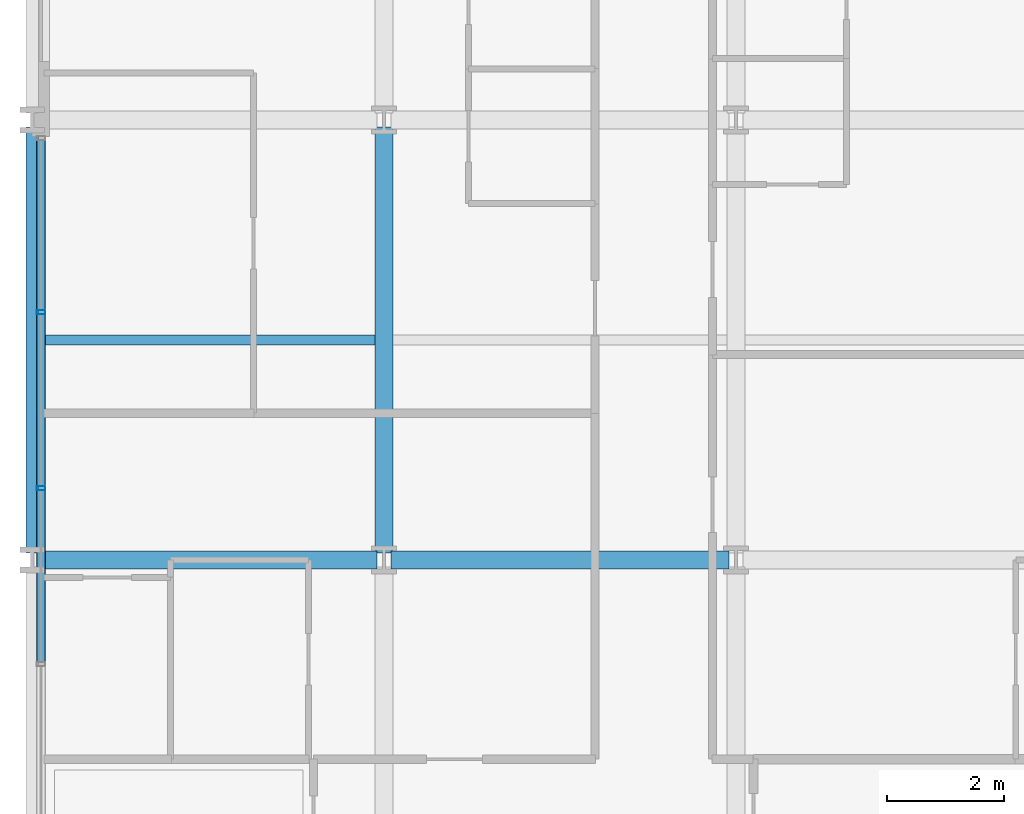
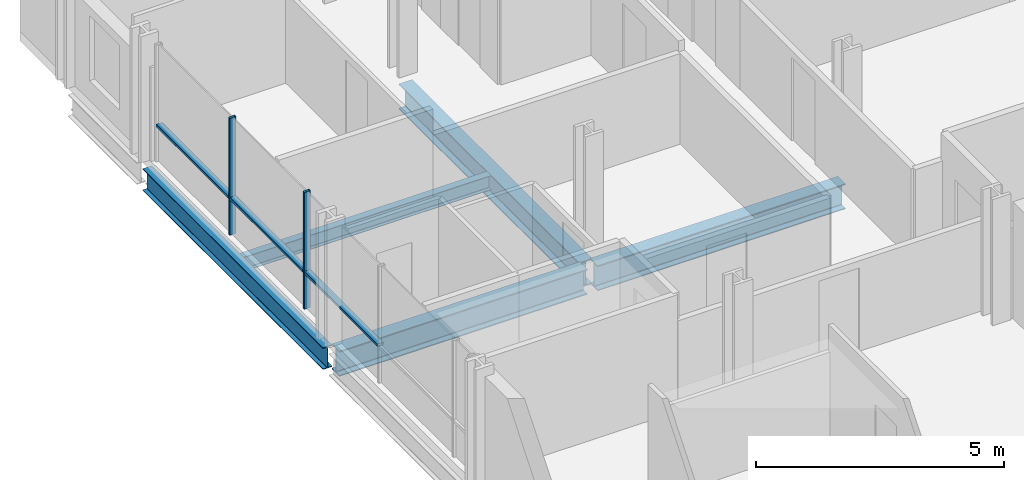
# One storey, part 5 of 41: 5 beams, 5 members, 1 element without a shape of its own.
"""IFC4 building model written with IfcOpenShell, lengths in metres."""

from ifc_helpers import new_model, si_unit, direction, frame, origin, origin_2d, place, context, subcontext, project, spatial, hollow_rectangle, i_section, extrude, material, layer, layer_set, material_profile, profile_set, type_object, element, aggregate, save


model = new_model("IFC4")

# Units and contexts
model_context = context("Model", 3, precision=1e-05, world=origin(), true_north=direction((0.0, 1.0)))
body_context = subcontext(model_context, "Body", "Model", "MODEL_VIEW")
ifc_project = project(units=[si_unit("LENGTHUNIT", "METRE"), si_unit("AREAUNIT", "SQUARE_METRE"), si_unit("VOLUMEUNIT", "CUBIC_METRE"), si_unit("PLANEANGLEUNIT", "RADIAN"), si_unit("MASSUNIT", "GRAM", prefix="KILO")], contexts=[model_context])

# Site, building, storey
site_placement = place(None, origin())
site = spatial("IfcSite", under=ifc_project, at=site_placement, CompositionType="ELEMENT")
building_placement = place(site_placement, origin())
building = spatial("IfcBuilding", under=site, at=building_placement, Name="Brevholm Reach", CompositionType="ELEMENT")
storey_placement = place(building_placement, frame((0.0, 0.0, 55.89990234375)))
storey = spatial("IfcBuildingStorey", under=building, at=storey_placement, Name="L15", CompositionType="ELEMENT", Elevation=55.89990234375)

# Beams
ifc_material_1 = material(Name="Structural Steel S355J2", Category="steel")
ifc_material_profile_1 = material_profile(ifc_material_1, i_section(OverallWidth=0.17138671875, OverallDepth=0.35498046875, WebThickness=0.00732421875, FlangeThickness=0.011474609375, FilletRadius=0.01025390625, at=origin_2d()), Name="UKB 356x171x51")
ifc_profile_set_1 = profile_set([ifc_material_profile_1], Name="Structural Steel S355J2")
beam_type_1 = type_object("IfcBeamType", Name="BM-B356", PredefinedType="BEAM", material=ifc_profile_set_1)
beam_1_placement = place(storey_placement, frame((0.10546875, 19.75, -0.407470703125), z_axis=(1.0, 0.0, 0.0), x_axis=(0.0, 1.0, 0.0)))
element("IfcBeam", 1, at=beam_1_placement, inside=storey, type_object=beam_type_1, Name="L15 Composite Secondary Floor Beam", PredefinedType="BEAM", context=body_context, shape_type="SweptSolid", body=[
    extrude(i_section(OverallWidth=0.17138671875, OverallDepth=0.35498046875, WebThickness=0.00732421875, FlangeThickness=0.011474609375, FilletRadius=0.01025390625, at=origin_2d()), origin(), (0.0, 0.0, 1.0), 5.740966796875),
])
ifc_material_2 = material(Name="Structural Steel S355J2", Category="steel")
ifc_material_profile_2 = material_profile(ifc_material_2, i_section(OverallWidth=0.210693359375, OverallDepth=0.53955078125, WebThickness=0.01171875, FlangeThickness=0.018798828125, FilletRadius=0.0126953125, at=origin_2d()), Name="UKB 533x210x109")
ifc_profile_set_2 = profile_set([ifc_material_profile_2], Name="Structural Steel S355J2")
beam_type_2 = type_object("IfcBeamType", Name="BM-SP539", PredefinedType="SPANDREL", material=ifc_profile_set_2)
beam_2_placement = place(storey_placement, frame((0.0, 16.1201171875, -0.499755859375), z_axis=(0.0, 1.0, 0.0), x_axis=(-1.0, 0.0, 0.0)))
element("IfcBeam", 2, at=beam_2_placement, inside=storey, type_object=beam_type_2, Name="L15 SP-01B Framing Beam", PredefinedType="SPANDREL", context=body_context, shape_type="SweptSolid", body=[
    extrude(i_section(OverallWidth=0.210693359375, OverallDepth=0.53955078125, WebThickness=0.01171875, FlangeThickness=0.018798828125, FilletRadius=0.0126953125, at=origin_2d()), origin(), (0.0, 0.0, 1.0), 7.259765625),
])
ifc_material_3 = material(Name="Structural Steel S355J2", Category="steel")
ifc_material_profile_3 = material_profile(ifc_material_3, i_section(OverallWidth=0.30712890625, OverallDepth=0.6201171875, WebThickness=0.01416015625, FlangeThickness=0.023681640625, FilletRadius=0.0166015625, at=origin_2d()), Name="UKB 610x305x179")
ifc_profile_set_3 = profile_set([ifc_material_profile_3], Name="Structural Steel S355J2")
beam_type_3 = type_object("IfcBeamType", Name="BM-UKB610H", PredefinedType="USERDEFINED", material=ifc_profile_set_3)
for number, where, z_axis, x_axis, name in (
    (3, (0.1201171875, 16.0, -0.5400390625), (1.0, 0.0, 0.0), (0.0, 1.0, 0.0), "L15 G-06 Framing Beam"),
    (4, (6.1201171875, 16.0, -0.5400390625), (1.0, 0.0, 0.0), (0.0, 1.0, 0.0), "L15 G-06 Framing Beam"),
):
    element("IfcBeam", number, at=place(storey_placement, frame(where, z_axis=z_axis, x_axis=x_axis)), inside=storey, type_object=beam_type_3, Name=name, ObjectType="GIRDER", PredefinedType="USERDEFINED", context=body_context, shape_type="SweptSolid", body=[
        extrude(i_section(OverallWidth=0.30712890625, OverallDepth=0.6201171875, WebThickness=0.01416015625, FlangeThickness=0.023681640625, FilletRadius=0.0166015625, at=origin_2d()), origin(), (0.0, 0.0, 1.0), 5.759765625),
    ])
beam_3_placement = place(storey_placement, frame((6.0, 16.1201171875, -0.5400390625), z_axis=(0.0, 1.0, 0.0), x_axis=(-1.0, 0.0, 0.0)))
element("IfcBeam", 5, at=beam_3_placement, inside=storey, type_object=beam_type_3, Name="L15 G-06 Framing Beam", ObjectType="GIRDER", PredefinedType="USERDEFINED", context=body_context, shape_type="SweptSolid", body=[
    extrude(i_section(OverallWidth=0.30712890625, OverallDepth=0.6201171875, WebThickness=0.01416015625, FlangeThickness=0.023681640625, FilletRadius=0.0166015625, at=origin_2d()), origin(), (0.0, 0.0, 1.0), 7.259765625),
])

# Curtain wall, members
ifc_material_4 = material(Name="Dark Anodised Aluminium 6063-T6 and Solar-Control Glass", Category="aluminium")
ifc_layer = layer(ifc_material_4, 0.14990234375)
ifc_layer_set = layer_set([ifc_layer], Name="Dark Anodised Aluminium 6063-T6 and Solar-Control Glass")
curtain_wall_type = type_object("IfcCurtainWallType", Name="CW-01", PredefinedType="NOTDEFINED", material=ifc_layer_set)
curtain_wall_placement = place(storey_placement, origin())
curtain_wall = element("IfcCurtainWall", 6, at=curtain_wall_placement, inside=storey, type_object=curtain_wall_type, Name="L15 Curtain Wall CW-01", PredefinedType="NOTDEFINED")
ifc_material_5 = material(Name="Dark Anodised Aluminium 6063-T6", Category="aluminium")
ifc_material_profile_4 = material_profile(ifc_material_5, hollow_rectangle(XDim=0.06494140625, YDim=0.14990234375, WallThickness=0.0048828125, InnerFilletRadius=0.0048828125, OuterFilletRadius=0.010009765625, at=origin_2d()), Name="RHS 150x65x5")
ifc_profile_set_4 = profile_set([ifc_material_profile_4], Name="Dark Anodised Aluminium 6063-T6")
member_type_1 = type_object("IfcMemberType", Name="CWM-150", PredefinedType="MULLION", material=ifc_profile_set_4)
member_1_placement = place(storey_placement, frame((0.14990234375, 20.219970703125, 0.0), z_axis=(0.0, 0.0, 1.0), x_axis=(0.0, -1.0, 0.0)))
member_1 = element("IfcMember", 7, at=member_1_placement, type_object=member_type_1, Name="CM-150 Mullion 2", PredefinedType="MULLION", context=body_context, shape_type="SweptSolid", body=[
    extrude(hollow_rectangle(XDim=0.06494140625, YDim=0.14990234375, WallThickness=0.0048828125, InnerFilletRadius=0.0048828125, OuterFilletRadius=0.010009765625, at=origin_2d()), origin(), (0.0, 0.0, 1.0), 2.8701171875),
])
member_2_placement = place(storey_placement, frame((0.14990234375, 17.219970703125, 0.0), z_axis=(0.0, 0.0, 1.0), x_axis=(0.0, -1.0, 0.0)))
member_2 = element("IfcMember", 8, at=member_2_placement, type_object=member_type_1, Name="CM-150 Mullion 3", PredefinedType="MULLION", context=body_context, shape_type="SweptSolid", body=[
    extrude(hollow_rectangle(XDim=0.06494140625, YDim=0.14990234375, WallThickness=0.0048828125, InnerFilletRadius=0.0048828125, OuterFilletRadius=0.010009765625, at=origin_2d()), origin(), (0.0, 0.0, 1.0), 2.8701171875),
])
ifc_material_6 = material(Name="Dark Anodised Aluminium 6063-T6", Category="aluminium")
ifc_material_profile_5 = material_profile(ifc_material_6, hollow_rectangle(XDim=0.06494140625, YDim=0.14990234375, WallThickness=0.0048828125, InnerFilletRadius=0.0048828125, OuterFilletRadius=0.010009765625, at=origin_2d()), Name="RHS 150x65x5")
ifc_profile_set_5 = profile_set([ifc_material_profile_5], Name="Dark Anodised Aluminium 6063-T6")
member_type_2 = type_object("IfcMemberType", Name="CWT-150", PredefinedType="NOTDEFINED", material=ifc_profile_set_5)
member_3_placement = place(storey_placement, frame((0.14990234375, 23.155029296875, 0.900146484375), z_axis=(0.0, -1.0, 0.0), x_axis=(0.0, 0.0, 1.0)))
member_3 = element("IfcMember", 9, at=member_3_placement, type_object=member_type_2, Name="CT-150 Transom 1.1", ObjectType="TRANSOM", PredefinedType="USERDEFINED", context=body_context, shape_type="SweptSolid", body=[
    extrude(hollow_rectangle(XDim=0.06494140625, YDim=0.14990234375, WallThickness=0.0048828125, InnerFilletRadius=0.0048828125, OuterFilletRadius=0.010009765625, at=origin_2d()), origin(), (0.0, 0.0, 1.0), 2.902587890625),
])
member_4_placement = place(storey_placement, frame((0.14990234375, 20.1875, 0.900146484375), z_axis=(0.0, -1.0, 0.0), x_axis=(0.0, 0.0, 1.0)))
member_4 = element("IfcMember", 10, at=member_4_placement, type_object=member_type_2, Name="CT-150 Transom 2.1", ObjectType="TRANSOM", PredefinedType="USERDEFINED", context=body_context, shape_type="SweptSolid", body=[
    extrude(hollow_rectangle(XDim=0.06494140625, YDim=0.14990234375, WallThickness=0.0048828125, InnerFilletRadius=0.0048828125, OuterFilletRadius=0.010009765625, at=origin_2d()), origin(), (0.0, 0.0, 1.0), 2.93505859375),
])
member_5_placement = place(storey_placement, frame((0.14990234375, 17.1875, 0.900146484375), z_axis=(0.0, -1.0, 0.0), x_axis=(0.0, 0.0, 1.0)))
member_5 = element("IfcMember", 11, at=member_5_placement, type_object=member_type_2, Name="CT-150 Transom 3.1", ObjectType="TRANSOM", PredefinedType="USERDEFINED", context=body_context, shape_type="SweptSolid", body=[
    extrude(hollow_rectangle(XDim=0.06494140625, YDim=0.14990234375, WallThickness=0.0048828125, InnerFilletRadius=0.0048828125, OuterFilletRadius=0.010009765625, at=origin_2d()), origin(), (0.0, 0.0, 1.0), 2.93505859375),
])
aggregate(curtain_wall, [member_1, member_2, member_3, member_4, member_5])

save(model, "model.ifc")
